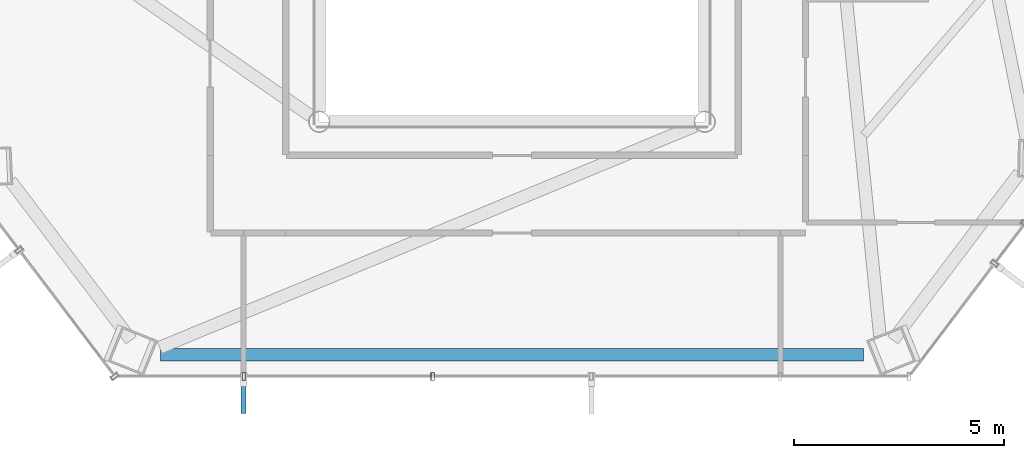
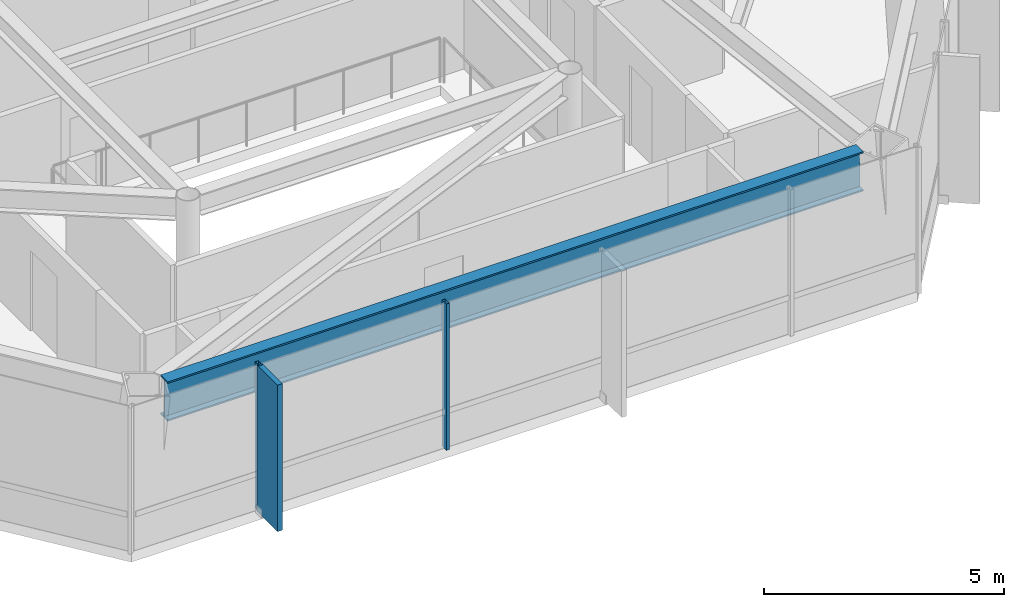
# One storey, part 6 of 25: 3 members, 1 beam, 1 element without a shape of its own.
"""IFC4 building model written with IfcOpenShell, lengths in metres."""

from ifc_helpers import new_model, si_unit, direction, frame, origin, origin_2d, place, context, subcontext, project, spatial, rectangle, hollow_rectangle, i_section, extrude, material, layer, layer_set, material_profile, profile_set, type_object, element, aggregate, save


model = new_model("IFC4")

# Units and contexts
model_context = context("Model", 3, precision=1e-05, world=origin(), true_north=direction((0.0, 1.0)))
body_context = subcontext(model_context, "Body", "Model", "MODEL_VIEW")
ifc_project = project(units=[si_unit("LENGTHUNIT", "METRE"), si_unit("AREAUNIT", "SQUARE_METRE"), si_unit("VOLUMEUNIT", "CUBIC_METRE"), si_unit("PLANEANGLEUNIT", "RADIAN"), si_unit("MASSUNIT", "GRAM", prefix="KILO")], contexts=[model_context])

# Site, building, storey
site_placement = place(None, origin())
site = spatial("IfcSite", under=ifc_project, at=site_placement, CompositionType="ELEMENT")
building_placement = place(site_placement, origin())
building = spatial("IfcBuilding", under=site, at=building_placement, Name="Zarrinselat Tower", CompositionType="ELEMENT")
storey_placement = place(building_placement, frame((0.0, 0.0, 105.06005859375)))
storey = spatial("IfcBuildingStorey", under=building, at=storey_placement, Name="L25", CompositionType="ELEMENT", Elevation=105.06005859375)

# Beam
ifc_material_1 = material(Name="Steel S460M", Category="steel")
ifc_material_profile_1 = material_profile(ifc_material_1, i_section(OverallWidth=0.302001953125, OverallDepth=1.008056640625, WebThickness=0.02099609375, FlangeThickness=0.0400390625, at=origin_2d()), Name="HEM 1000")
ifc_profile_set_1 = profile_set([ifc_material_profile_1], Name="Steel S460M")
beam_type = type_object("IfcBeamType", Name="BM-HEM1000", PredefinedType="BEAM", material=ifc_profile_set_1)
beam_placement = place(storey_placement, frame((30.017333984375, 18.8427734375, 3.225830078125), z_axis=(1.0, 0.0, 0.0), x_axis=(0.0, 1.0, 0.0)))
element("IfcBeam", 1, at=beam_placement, inside=storey, type_object=beam_type, Name="L25 Perimeter Spandrel Girder SP10", PredefinedType="BEAM", context=body_context, shape_type="SweptSolid", body=[
    extrude(i_section(OverallWidth=0.302001953125, OverallDepth=1.008056640625, WebThickness=0.02099609375, FlangeThickness=0.0400390625, at=origin_2d()), origin(), (0.0, 0.0, 1.0), 16.765380859375),
])

# Curtain wall, members
ifc_material_2 = material(Name="Extruded Aluminium Alloy EN AW-6063 T6", Category="aluminium")
ifc_layer = layer(ifc_material_2, 0.18505859375)
ifc_layer_set = layer_set([ifc_layer], Name="Extruded Aluminium Alloy EN AW-6063 T6")
curtain_wall_type = type_object("IfcCurtainWallType", Name="CWS-OFF", PredefinedType="NOTDEFINED", material=ifc_layer_set)
curtain_wall_placement = place(storey_placement, origin())
curtain_wall = element("IfcCurtainWall", 2, at=curtain_wall_placement, inside=storey, type_object=curtain_wall_type, Name="L25 Unitised Curtain Wall CW-L25-E04", PredefinedType="NOTDEFINED")
ifc_material_3 = material(Name="Extruded Aluminium Alloy EN AW-6063 T6", Category="aluminium")
ifc_material_profile_2 = material_profile(ifc_material_3, hollow_rectangle(XDim=0.080078125, YDim=0.179931640625, WallThickness=0.0048828125, at=origin_2d()), Name="RHS 180x80x5")
ifc_profile_set_2 = profile_set([ifc_material_profile_2], Name="Extruded Aluminium Alloy EN AW-6063 T6")
member_type_1 = type_object("IfcMemberType", Name="MEM-CW-MUL", PredefinedType="MULLION", material=ifc_profile_set_2)
member_1_placement = place(storey_placement, frame((32.0, 18.32568359375, 0.0), z_axis=(0.0, 0.0, 1.0), x_axis=(1.0, 0.0, 0.0)))
member_1 = element("IfcMember", 3, at=member_1_placement, type_object=member_type_1, Name="CW-L25-E04 Mullion 1", PredefinedType="MULLION", context=body_context, shape_type="SweptSolid", body=[
    extrude(hollow_rectangle(XDim=0.080078125, YDim=0.179931640625, WallThickness=0.0048828125, at=origin_2d()), origin(), (0.0, 0.0, 1.0), 3.72998046875),
])
member_2_placement = place(storey_placement, frame((36.505126953125, 18.32568359375, 0.0), z_axis=(0.0, 0.0, 1.0), x_axis=(1.0, 0.0, 0.0)))
member_2 = element("IfcMember", 4, at=member_2_placement, type_object=member_type_1, Name="CW-L25-E04 Mullion 2", PredefinedType="MULLION", context=body_context, shape_type="SweptSolid", body=[
    extrude(hollow_rectangle(XDim=0.080078125, YDim=0.179931640625, WallThickness=0.0048828125, at=origin_2d()), origin(), (0.0, 0.0, 1.0), 3.72998046875),
])
ifc_material_4 = material(Name="Honed Cream Travertine Stone", Category="masonry")
ifc_material_profile_3 = material_profile(ifc_material_4, rectangle(XDim=0.1201171875, YDim=0.85009765625, at=origin_2d()), Name="FIN 850x120")
ifc_profile_set_3 = profile_set([ifc_material_profile_3], Name="Honed Cream Travertine Stone")
member_type_2 = type_object("IfcMemberType", Name="MEM-STONE-FIN", PredefinedType="USERDEFINED", material=ifc_profile_set_3)
member_3_placement = place(storey_placement, frame((32.0, 17.865478515625, 0.0), z_axis=(0.0, 0.0, 1.0), x_axis=(-1.0, 0.0, 0.0)))
member_3 = element("IfcMember", 5, at=member_3_placement, type_object=member_type_2, Name="L25 Stone Shading Fin CW-L25-E04-01", ObjectType="FIN", PredefinedType="USERDEFINED", context=body_context, shape_type="SweptSolid", body=[
    extrude(rectangle(XDim=0.1201171875, YDim=0.85009765625, at=origin_2d()), origin(), (0.0, 0.0, 1.0), 3.72998046875),
])
aggregate(curtain_wall, [member_1, member_3, member_2])

save(model, "model.ifc")
